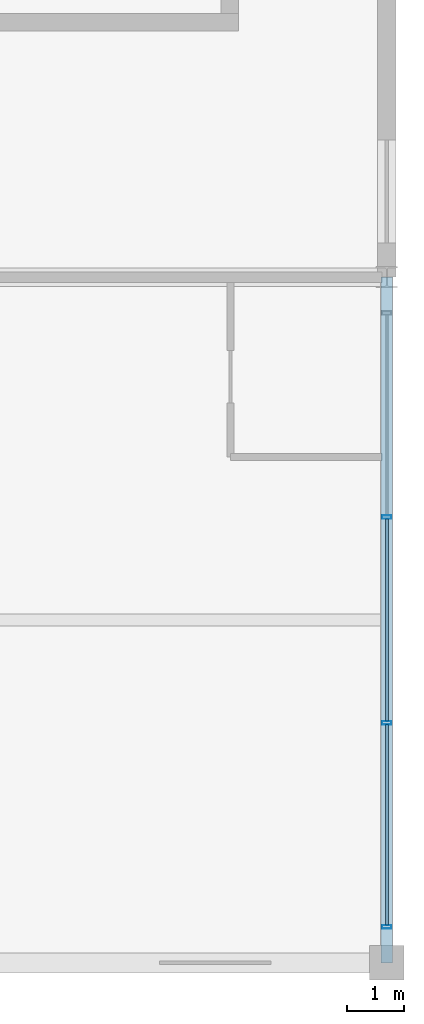
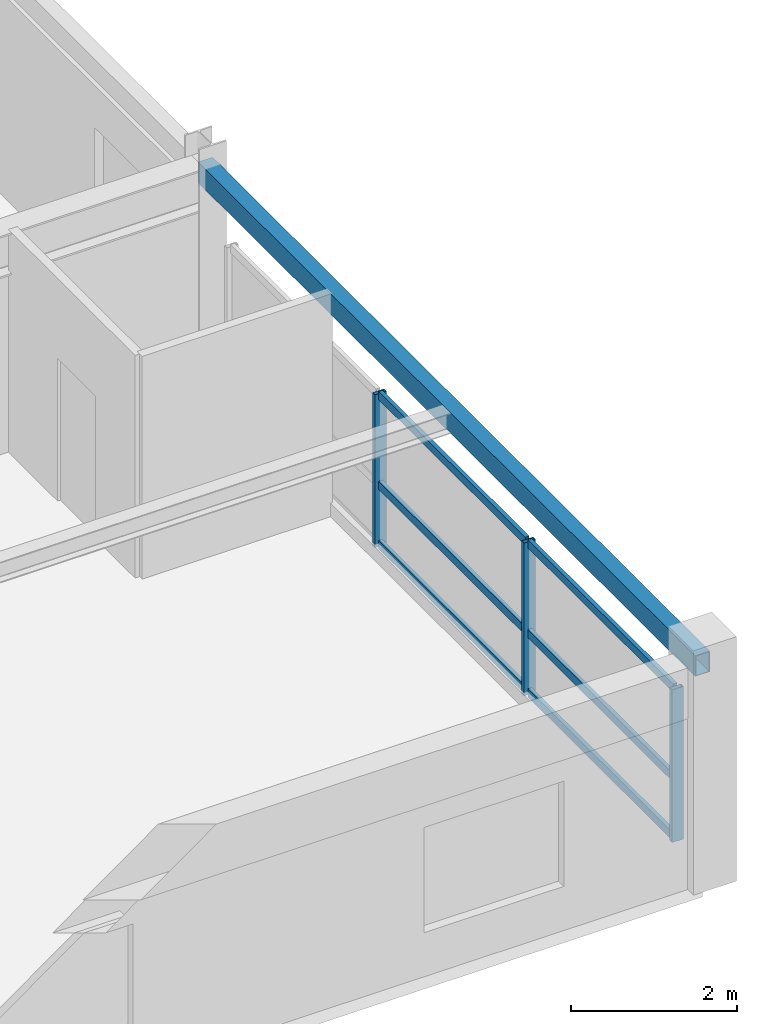
# One storey, part 10 of 22: 9 members, 1 beam, 1 element without a shape of its own.
"""IFC4 building model written with IfcOpenShell, lengths in metres."""

from ifc_helpers import new_model, si_unit, direction, frame, origin, origin_2d, place, context, subcontext, project, spatial, hollow_rectangle, extrude, material, material_profile, profile_set, type_object, element, aggregate, save


model = new_model("IFC4")

# Units and contexts
model_context = context("Model", 3, precision=1e-05, world=origin(), true_north=direction((0.0, 1.0)))
body_context = subcontext(model_context, "Body", "Model", "MODEL_VIEW")
ifc_project = project(units=[si_unit("LENGTHUNIT", "METRE"), si_unit("AREAUNIT", "SQUARE_METRE"), si_unit("VOLUMEUNIT", "CUBIC_METRE"), si_unit("PLANEANGLEUNIT", "RADIAN"), si_unit("MASSUNIT", "GRAM", prefix="KILO")], contexts=[model_context])

# Site, building, storey
site_placement = place(None, origin())
site = spatial("IfcSite", under=ifc_project, at=site_placement, CompositionType="ELEMENT")
building_placement = place(site_placement, origin())
building = spatial("IfcBuilding", under=site, at=building_placement, Name="Kaldorvane Square Convention Centre", CompositionType="ELEMENT")
storey_placement = place(building_placement, frame((0.0, 0.0, 67.19999694824219)))
storey = spatial("IfcBuildingStorey", under=building, at=storey_placement, Name="L16", CompositionType="ELEMENT", Elevation=67.19999694824219)

# Beam
ifc_material_1 = material(Name="Steel ASTM A500 Gr. C", Category="steel")
ifc_material_profile_1 = material_profile(ifc_material_1, hollow_rectangle(XDim=0.2032012939453125, YDim=0.3047943115234375, WallThickness=0.0088958740234375, at=origin_2d()), Name="HSS12X8X3/8")
ifc_profile_set_1 = profile_set([ifc_material_profile_1], Name="Steel ASTM A500 Gr. C")
beam_type = type_object("IfcBeamType", Name="BM-SP-HSS12", PredefinedType="SPANDREL", material=ifc_profile_set_1)
beam_placement = place(storey_placement, frame((78.0, 84.0, 3.12359619140625), z_axis=(0.0, 1.0, 0.0), x_axis=(-1.0, 0.0, 0.0)))
element("IfcBeam", 1, at=beam_placement, inside=storey, type_object=beam_type, Name="End Spandrel (L16)", PredefinedType="SPANDREL", context=body_context, shape_type="SweptSolid", body=[
    extrude(hollow_rectangle(XDim=0.2032012939453125, YDim=0.3047943115234375, WallThickness=0.0088958740234375, at=origin_2d()), origin(), (0.0, 0.0, 1.0), 12.0),
])

# Curtain wall, members
ifc_material_2 = material(Name="Anodized Aluminum and Low-E Insulated Glazing", Category="aluminium")
curtain_wall_type = type_object("IfcCurtainWallType", Name="CW-UNI-HTL-A", PredefinedType="USERDEFINED", material=ifc_material_2)
curtain_wall_placement = place(storey_placement, origin())
curtain_wall = element("IfcCurtainWall", 2, at=curtain_wall_placement, inside=storey, type_object=curtain_wall_type, Name="Curtain Wall CW-10 (L16)", ObjectType="UNITISED GLAZING", PredefinedType="USERDEFINED")
ifc_material_profile_2 = material_profile(ifc_material_2, hollow_rectangle(XDim=0.05999755859375, YDim=0.160003662109375, WallThickness=0.003204345703125, at=origin_2d()), Name="CWM-160X60")
ifc_profile_set_2 = profile_set([ifc_material_profile_2], Name="Anodized Aluminum and Low-E Insulated Glazing")
member_type_1 = type_object("IfcMemberType", Name="CW-MUL-160", PredefinedType="MULLION", material=ifc_profile_set_2)
member_1_placement = place(storey_placement, frame((78.0, 84.6300048828125, 0.1500091552734375), z_axis=(0.0, 0.0, 1.0), x_axis=(0.0, 1.0, 0.0)))
member_1 = element("IfcMember", 3, at=member_1_placement, type_object=member_type_1, Name="CW-10 mullion 1", PredefinedType="MULLION", context=body_context, shape_type="SweptSolid", body=[
    extrude(hollow_rectangle(XDim=0.05999755859375, YDim=0.160003662109375, WallThickness=0.003204345703125, at=origin_2d()), origin(), (0.0, 0.0, 1.0), 2.25),
])
member_2_placement = place(storey_placement, frame((78.0, 88.19999694824219, 0.1500091552734375), z_axis=(0.0, 0.0, 1.0), x_axis=(0.0, 1.0, 0.0)))
member_2 = element("IfcMember", 4, at=member_2_placement, type_object=member_type_1, Name="CW-10 mullion 2", PredefinedType="MULLION", context=body_context, shape_type="SweptSolid", body=[
    extrude(hollow_rectangle(XDim=0.05999755859375, YDim=0.160003662109375, WallThickness=0.003204345703125, at=origin_2d()), origin(), (0.0, 0.0, 1.0), 2.25),
])
member_3_placement = place(storey_placement, frame((78.0, 91.80000305175781, 0.1500091552734375), z_axis=(0.0, 0.0, 1.0), x_axis=(0.0, 1.0, 0.0)))
member_3 = element("IfcMember", 5, at=member_3_placement, type_object=member_type_1, Name="CW-10 mullion 3", PredefinedType="MULLION", context=body_context, shape_type="SweptSolid", body=[
    extrude(hollow_rectangle(XDim=0.05999755859375, YDim=0.160003662109375, WallThickness=0.003204345703125, at=origin_2d()), origin(), (0.0, 0.0, 1.0), 2.25),
])
ifc_material_profile_3 = material_profile(ifc_material_2, hollow_rectangle(XDim=0.05499267578125, YDim=0.1199951171875, WallThickness=0.0030059814453125, at=origin_2d()), Name="CWT-120X55")
ifc_profile_set_3 = profile_set([ifc_material_profile_3], Name="Anodized Aluminum and Low-E Insulated Glazing")
member_type_2 = type_object("IfcMemberType", Name="CW-TRN-120", PredefinedType="USERDEFINED", material=ifc_profile_set_3)
member_4_placement = place(storey_placement, frame((78.0, 84.66000366210938, 0.1775054931640625), z_axis=(0.0, 1.0, 0.0), x_axis=(-1.0, 0.0, 0.0)))
member_4 = element("IfcMember", 6, at=member_4_placement, type_object=member_type_2, Name="CW-10 transom 1.1", ObjectType="TRANSOM", PredefinedType="USERDEFINED", context=body_context, shape_type="SweptSolid", body=[
    extrude(hollow_rectangle(XDim=0.05499267578125, YDim=0.1199951171875, WallThickness=0.0030059814453125, at=origin_2d()), origin(), (0.0, 0.0, 1.0), 3.5099945068359375),
])
member_5_placement = place(storey_placement, frame((78.0, 84.66000366210938, 1.0500030517578125), z_axis=(0.0, 1.0, 0.0), x_axis=(-1.0, 0.0, 0.0)))
member_5 = element("IfcMember", 7, at=member_5_placement, type_object=member_type_2, Name="CW-10 transom 1.2", ObjectType="TRANSOM", PredefinedType="USERDEFINED", context=body_context, shape_type="SweptSolid", body=[
    extrude(hollow_rectangle(XDim=0.05499267578125, YDim=0.1199951171875, WallThickness=0.0030059814453125, at=origin_2d()), origin(), (0.0, 0.0, 1.0), 3.5099945068359375),
])
member_6_placement = place(storey_placement, frame((78.0, 84.66000366210938, 2.37249755859375), z_axis=(0.0, 1.0, 0.0), x_axis=(-1.0, 0.0, 0.0)))
member_6 = element("IfcMember", 8, at=member_6_placement, type_object=member_type_2, Name="CW-10 transom 1.3", ObjectType="TRANSOM", PredefinedType="USERDEFINED", context=body_context, shape_type="SweptSolid", body=[
    extrude(hollow_rectangle(XDim=0.05499267578125, YDim=0.1199951171875, WallThickness=0.0030059814453125, at=origin_2d()), origin(), (0.0, 0.0, 1.0), 3.5099945068359375),
])
member_7_placement = place(storey_placement, frame((78.0, 88.22999572753906, 0.1775054931640625), z_axis=(0.0, 1.0, 0.0), x_axis=(-1.0, 0.0, 0.0)))
member_7 = element("IfcMember", 9, at=member_7_placement, type_object=member_type_2, Name="CW-10 transom 2.1", ObjectType="TRANSOM", PredefinedType="USERDEFINED", context=body_context, shape_type="SweptSolid", body=[
    extrude(hollow_rectangle(XDim=0.05499267578125, YDim=0.1199951171875, WallThickness=0.0030059814453125, at=origin_2d()), origin(), (0.0, 0.0, 1.0), 3.540008544921875),
])
member_8_placement = place(storey_placement, frame((78.0, 88.22999572753906, 1.0500030517578125), z_axis=(0.0, 1.0, 0.0), x_axis=(-1.0, 0.0, 0.0)))
member_8 = element("IfcMember", 10, at=member_8_placement, type_object=member_type_2, Name="CW-10 transom 2.2", ObjectType="TRANSOM", PredefinedType="USERDEFINED", context=body_context, shape_type="SweptSolid", body=[
    extrude(hollow_rectangle(XDim=0.05499267578125, YDim=0.1199951171875, WallThickness=0.0030059814453125, at=origin_2d()), origin(), (0.0, 0.0, 1.0), 3.540008544921875),
])
member_9_placement = place(storey_placement, frame((78.0, 88.22999572753906, 2.37249755859375), z_axis=(0.0, 1.0, 0.0), x_axis=(-1.0, 0.0, 0.0)))
member_9 = element("IfcMember", 11, at=member_9_placement, type_object=member_type_2, Name="CW-10 transom 2.3", ObjectType="TRANSOM", PredefinedType="USERDEFINED", context=body_context, shape_type="SweptSolid", body=[
    extrude(hollow_rectangle(XDim=0.05499267578125, YDim=0.1199951171875, WallThickness=0.0030059814453125, at=origin_2d()), origin(), (0.0, 0.0, 1.0), 3.540008544921875),
])
aggregate(curtain_wall, [member_1, member_2, member_3, member_4, member_5, member_6, member_7, member_8, member_9])

save(model, "model.ifc")
